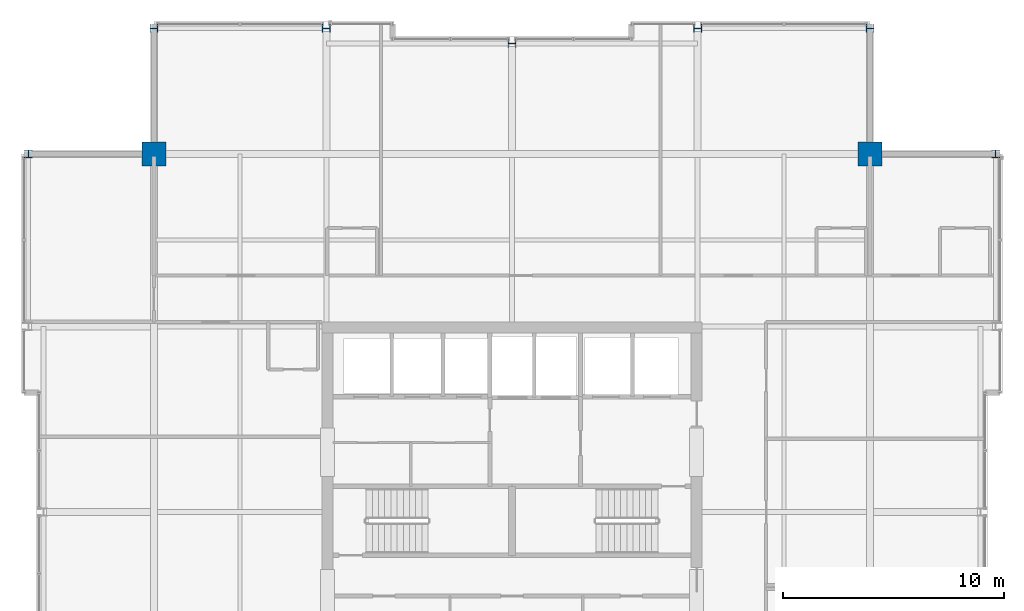
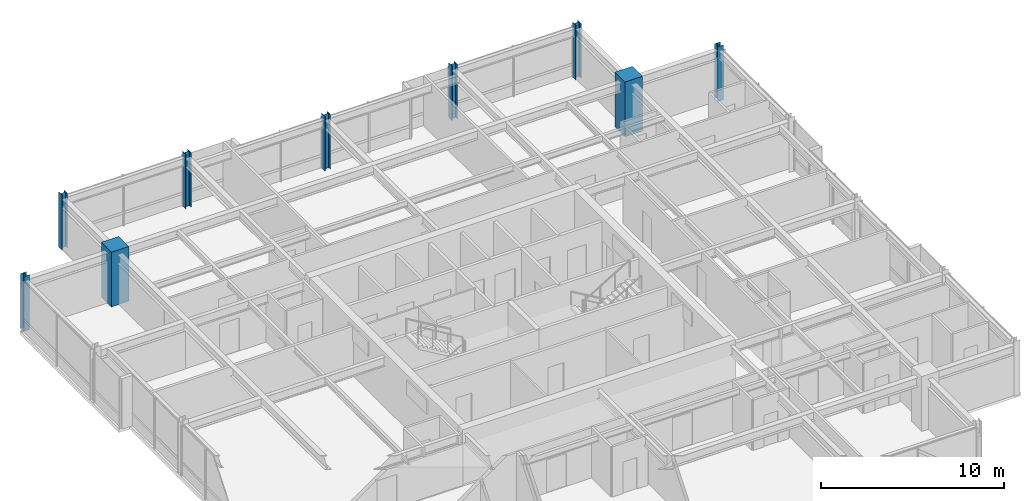
# One storey, part 3 of 34: 9 columns.
"""IFC4 building model written with IfcOpenShell, lengths in metres."""

from ifc_helpers import new_model, si_unit, direction, frame, origin, origin_2d, place, context, subcontext, project, spatial, rectangle, i_section, extrude, material, material_profile, profile_set, type_object, element, save


model = new_model("IFC4")

# Units and contexts
model_context = context("Model", 3, precision=1e-05, world=origin(), true_north=direction((0.0, 1.0)))
body_context = subcontext(model_context, "Body", "Model", "MODEL_VIEW")
ifc_project = project(units=[si_unit("LENGTHUNIT", "METRE"), si_unit("AREAUNIT", "SQUARE_METRE"), si_unit("VOLUMEUNIT", "CUBIC_METRE"), si_unit("PLANEANGLEUNIT", "RADIAN"), si_unit("MASSUNIT", "GRAM", prefix="KILO")], contexts=[model_context])

# Site, building, storey
site_placement = place(None, origin())
site = spatial("IfcSite", under=ifc_project, at=site_placement, CompositionType="ELEMENT")
building_placement = place(site_placement, origin())
building = spatial("IfcBuilding", under=site, at=building_placement, Name="Drelvath Grand Hotel", CompositionType="ELEMENT")
storey_placement = place(building_placement, frame((0.0, 0.0, 290.550048828125)))
storey = spatial("IfcBuildingStorey", under=building, at=storey_placement, Name="L76", CompositionType="ELEMENT", Elevation=290.550048828125)

# Columns
ifc_material_1 = material(Name="Concrete f'c 55 MPa", Category="concrete")
ifc_material_profile_1 = material_profile(ifc_material_1, rectangle(XDim=1.10009765625, YDim=1.10009765625, at=origin_2d()), Name="MC1100X1100")
ifc_profile_set_1 = profile_set([ifc_material_profile_1], Name="Concrete f'c 55 MPa")
column_type_1 = type_object("IfcColumnType", Name="Composite Mega Column MC1100X1100", PredefinedType="COLUMN", material=ifc_profile_set_1)
for number, where, z_axis, x_axis, name in (
    (1, (-16.199951171875, 43.199951171875, 0.0), (0.0, 0.0, 1.0), (1.0, 0.0, 0.0), "L76 Composite Mega Column MC-NW"),
    (2, (16.199951171875, 43.199951171875, 0.0), (0.0, 0.0, 1.0), (1.0, 0.0, 0.0), "L76 Composite Mega Column MC-NE"),
):
    element("IfcColumn", number, at=place(storey_placement, frame(where, z_axis=z_axis, x_axis=x_axis)), inside=storey, type_object=column_type_1, Name=name, PredefinedType="COLUMN", context=body_context, shape_type="SweptSolid", body=[
        extrude(rectangle(XDim=1.10009765625, YDim=1.10009765625, at=origin_2d()), origin(), (0.0, 0.0, 1.0), 3.64990234375),
    ])
ifc_material_2 = material(Name="Steel ASTM A913 Gr 65", Category="steel")
ifc_material_profile_2 = material_profile(ifc_material_2, i_section(OverallWidth=0.368896484375, OverallDepth=0.356201171875, WebThickness=0.01123046875, FlangeThickness=0.01806640625, FilletRadius=0.02490234375, at=origin_2d()), Name="W14X90")
ifc_profile_set_2 = profile_set([ifc_material_profile_2], Name="Steel ASTM A913 Gr 65")
column_type_2 = type_object("IfcColumnType", Name="Perimeter Steel Column W14X90", PredefinedType="COLUMN", material=ifc_profile_set_2)
for number, where, z_axis, x_axis, name in (
    (3, (-21.8798828125, 43.199951171875, 0.0), (0.0, 0.0, 1.0), (1.0, 0.0, 0.0), "L76 Structural Column TCW-G"),
    (4, (21.8798828125, 43.199951171875, 0.0), (0.0, 0.0, 1.0), (1.0, 0.0, 0.0), "L76 Structural Column TCE-G"),
    (5, (-16.199951171875, 48.8798828125, 0.0), (0.0, 0.0, 1.0), (0.0, 1.0, 0.0), "L76 Structural Column TCN-3"),
    (6, (-8.39990234375, 48.8798828125, 0.0), (0.0, 0.0, 1.0), (0.0, 1.0, 0.0), "L76 Structural Column TCN-4"),
    (7, (0.0, 48.199951171875, 0.0), (0.0, 0.0, 1.0), (0.0, 1.0, 0.0), "L76 Structural Column TCN-5"),
    (8, (8.39990234375, 48.8798828125, 0.0), (0.0, 0.0, 1.0), (0.0, 1.0, 0.0), "L76 Structural Column TCN-6"),
    (9, (16.199951171875, 48.8798828125, 0.0), (0.0, 0.0, 1.0), (0.0, 1.0, 0.0), "L76 Structural Column TCN-7"),
):
    element("IfcColumn", number, at=place(storey_placement, frame(where, z_axis=z_axis, x_axis=x_axis)), inside=storey, type_object=column_type_2, Name=name, PredefinedType="COLUMN", context=body_context, shape_type="SweptSolid", body=[
        extrude(i_section(OverallWidth=0.368896484375, OverallDepth=0.356201171875, WebThickness=0.01123046875, FlangeThickness=0.01806640625, FilletRadius=0.02490234375, at=origin_2d()), origin(), (0.0, 0.0, 1.0), 3.64697265625),
    ])

save(model, "model.ifc")
